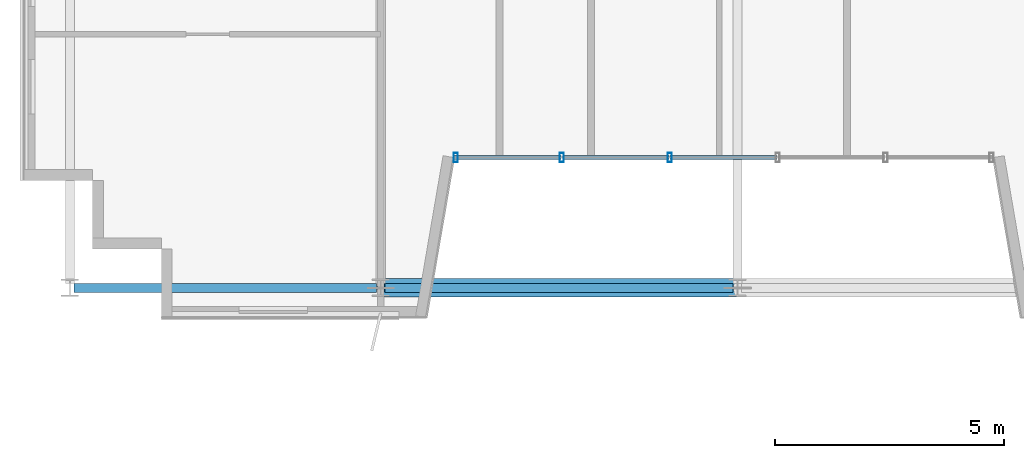
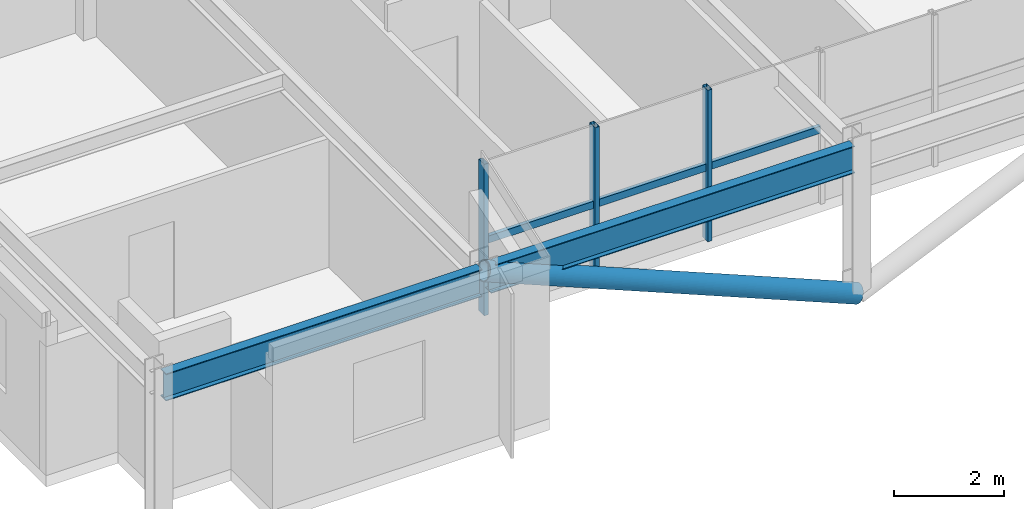
# One storey, part 3 of 24: 7 members, 2 beams, 1 element without a shape of its own.
"""IFC4 building model written with IfcOpenShell, lengths in metres."""

from ifc_helpers import new_model, si_unit, direction, frame, origin, origin_2d, place, context, subcontext, project, spatial, hollow_rectangle, hollow_circle, i_section, extrude, source, transform, mapped, material, material_profile, profile_set, type_object, element, aggregate, save


model = new_model("IFC4")

# Units and contexts
model_context = context("Model", 3, precision=1e-05, world=origin(), true_north=direction((0.0, 1.0)))
body_context = subcontext(model_context, "Body", "Model", "MODEL_VIEW")
ifc_project = project(units=[si_unit("LENGTHUNIT", "METRE"), si_unit("AREAUNIT", "SQUARE_METRE"), si_unit("VOLUMEUNIT", "CUBIC_METRE"), si_unit("PLANEANGLEUNIT", "RADIAN"), si_unit("MASSUNIT", "GRAM", prefix="KILO")], contexts=[model_context])

# Site, building, storey
site_placement = place(None, origin())
site = spatial("IfcSite", under=ifc_project, at=site_placement, CompositionType="ELEMENT")
building_placement = place(site_placement, origin())
building = spatial("IfcBuilding", under=site, at=building_placement, Name="Trelvane Seafront Commons", CompositionType="ELEMENT")
storey_placement = place(building_placement, frame((0.0, 0.0, 175.300048828125)))
storey = spatial("IfcBuildingStorey", under=building, at=storey_placement, Name="L46", CompositionType="ELEMENT", Elevation=175.300048828125)

# Beams
ifc_material_1 = material(Name="Steel SM355 (S355)", Category="steel")
ifc_material_profile_1 = material_profile(ifc_material_1, i_section(OverallWidth=0.199951171875, OverallDepth=0.60009765625, WebThickness=0.010986328125, FlangeThickness=0.01708984375, at=origin_2d()), Name="H-600x200x11x17")
ifc_profile_set_1 = profile_set([ifc_material_profile_1], Name="Steel SM355 (S355)")
beam_type = type_object("IfcBeamType", Name="STR-SPD-H600", PredefinedType="SPANDREL", material=ifc_profile_set_1)
shared_shape_1 = source(origin(), body_context, "Body", "SweptSolid", [
    extrude(i_section(OverallWidth=0.199951171875, OverallDepth=0.60009765625, WebThickness=0.010986328125, FlangeThickness=0.01708984375, at=origin_2d()), origin(), (0.0, 0.0, 1.0), 6.60986328125),
])
beam_1_placement = place(storey_placement, frame((8.89501953125, 3.949951171875, 3.050048828125), z_axis=(1.0, 0.0, 0.0), x_axis=(0.0, 1.0, 0.0)))
element("IfcBeam", 1, at=beam_1_placement, inside=storey, type_object=beam_type, Name="L46 Primary Girder G-01", PredefinedType="SPANDREL", context=body_context, shape_type="MappedRepresentation", body=[
    mapped(shared_shape_1, transform((0.0, 0.0, 0.0), x_axis=(1.0, 0.0, 0.0), y_axis=(0.0, 1.0, 0.0), z_axis=(0.0, 0.0, 1.0), scale=1.0)),
])
shared_shape_2 = source(origin(), body_context, "Body", "SweptSolid", [
    extrude(i_section(OverallWidth=0.199951171875, OverallDepth=0.60009765625, WebThickness=0.010986328125, FlangeThickness=0.01708984375, at=origin_2d()), origin(), (0.0, 0.0, 1.0), 7.60986328125),
])
beam_2_placement = place(storey_placement, frame((15.695068359375, 3.949951171875, 3.050048828125), z_axis=(1.0, 0.0, 0.0), x_axis=(0.0, 1.0, 0.0)))
element("IfcBeam", 2, at=beam_2_placement, inside=storey, type_object=beam_type, Name="L46 Primary Girder G-02", PredefinedType="SPANDREL", context=body_context, shape_type="MappedRepresentation", body=[
    mapped(shared_shape_2, transform((0.0, 0.0, 0.0), x_axis=(1.0, 0.0, 0.0), y_axis=(0.0, 1.0, 0.0), z_axis=(0.0, 0.0, 1.0), scale=1.0)),
])

# Member
ifc_material_profile_2 = material_profile(ifc_material_1, hollow_circle(Radius=0.203125, WallThickness=0.01611328125, at=origin_2d()), Name="CHS-406.4x16")
ifc_profile_set_2 = profile_set([ifc_material_profile_2], Name="Steel SM355 (S355)")
member_type_1 = type_object("IfcMemberType", Name="STR-STR-CHS406", PredefinedType="STRUT", material=ifc_profile_set_2)
shared_shape_3 = source(origin(), body_context, "Body", "SweptSolid", [
    extrude(hollow_circle(Radius=0.203125, WallThickness=0.01611328125, at=origin_2d()), origin(), (0.0, 0.0, 1.0), 8.442138671875),
])
member_1_placement = place(storey_placement, frame((23.39990234375, 3.949951171875, 0.0), z_axis=(-0.923913217575, 0.0, 0.382602099302), x_axis=(0.0, -1.0, 0.0)))
element("IfcMember", 3, at=member_1_placement, inside=storey, type_object=member_type_1, Name="L46 Sky-Garden V-Chevron Brace SGV-W", PredefinedType="STRUT", context=body_context, shape_type="MappedRepresentation", body=[
    mapped(shared_shape_3, transform((0.0, 0.0, 0.0), x_axis=(1.0, 0.0, 0.0), y_axis=(0.0, 1.0, 0.0), z_axis=(0.0, 0.0, 1.0), scale=1.0)),
])

# Curtain wall, members
ifc_material_2 = material(Name="Anodised pale-silver aluminium", Category="aluminium")
curtain_wall_type = type_object("IfcCurtainWallType", Name="ARCH-CW3-PORTAL", PredefinedType="NOTDEFINED", material=ifc_material_2)
curtain_wall_placement = place(storey_placement, origin())
curtain_wall = element("IfcCurtainWall", 4, at=curtain_wall_placement, inside=storey, type_object=curtain_wall_type, Name="CW-L46-VN-0074", PredefinedType="NOTDEFINED")
ifc_material_profile_3 = material_profile(ifc_material_2, hollow_rectangle(XDim=0.080078125, YDim=0.159912109375, WallThickness=0.00439453125, at=origin_2d()), Name="TRAN-80x160x4.5")
ifc_profile_set_3 = profile_set([ifc_material_profile_3], Name="Anodised pale-silver aluminium")
member_type_2 = type_object("IfcMemberType", Name="ARCH-CW-TRAN-160", PredefinedType="USERDEFINED", material=ifc_profile_set_3)
shared_shape_4 = source(origin(), body_context, "Body", "SweptSolid", [
    extrude(hollow_rectangle(XDim=0.080078125, YDim=0.159912109375, WallThickness=0.00439453125, at=origin_2d()), origin(), (0.0, 0.0, 1.0), 2.3359375),
])
member_2_placement = place(storey_placement, frame((21.907958984375, 6.800048828125, 1.60791015625), z_axis=(-1.0, 0.0, 0.0), x_axis=(0.0, -1.0, 0.0)))
member_2 = element("IfcMember", 5, at=member_2_placement, type_object=member_type_2, Name="CW-L46-VN-0074-T03", ObjectType="TRANSOM", PredefinedType="USERDEFINED", context=body_context, shape_type="MappedRepresentation", body=[
    mapped(shared_shape_4, transform((0.0, 0.0, 0.0), x_axis=(1.0, 0.0, 0.0), y_axis=(0.0, 1.0, 0.0), z_axis=(0.0, 0.0, 1.0), scale=1.0)),
])
shared_shape_5 = source(origin(), body_context, "Body", "SweptSolid", [
    extrude(hollow_rectangle(XDim=0.080078125, YDim=0.159912109375, WallThickness=0.00439453125, at=origin_2d()), origin(), (0.0, 0.0, 1.0), 2.336181640625),
])
member_3_placement = place(storey_placement, frame((24.26806640625, 6.800048828125, 1.60791015625), z_axis=(-1.0, 0.0, 0.0), x_axis=(0.0, -1.0, 0.0)))
member_3 = element("IfcMember", 6, at=member_3_placement, type_object=member_type_2, Name="CW-L46-VN-0074-T02", ObjectType="TRANSOM", PredefinedType="USERDEFINED", context=body_context, shape_type="MappedRepresentation", body=[
    mapped(shared_shape_5, transform((0.0, 0.0, 0.0), x_axis=(1.0, 0.0, 0.0), y_axis=(0.0, 1.0, 0.0), z_axis=(0.0, 0.0, 1.0), scale=1.0)),
])
member_4_placement = place(storey_placement, frame((19.548095703125, 6.800048828125, 1.60791015625), z_axis=(-1.0, 0.0, 0.0), x_axis=(0.0, -1.0, 0.0)))
member_4 = element("IfcMember", 7, at=member_4_placement, type_object=member_type_2, Name="CW-L46-VN-0074-T04", ObjectType="TRANSOM", PredefinedType="USERDEFINED", context=body_context, shape_type="MappedRepresentation", body=[
    mapped(shared_shape_5, transform((0.0, 0.0, 0.0), x_axis=(1.0, 0.0, 0.0), y_axis=(0.0, 1.0, 0.0), z_axis=(0.0, 0.0, 1.0), scale=1.0)),
])
ifc_material_profile_4 = material_profile(ifc_material_2, hollow_rectangle(XDim=0.090087890625, YDim=0.199951171875, WallThickness=0.0048828125, at=origin_2d()), Name="MULL-90x200x5")
ifc_profile_set_4 = profile_set([ifc_material_profile_4], Name="Anodised pale-silver aluminium")
member_type_3 = type_object("IfcMemberType", Name="ARCH-CW-MULL-200", PredefinedType="MULLION", material=ifc_profile_set_4)
shared_shape_6 = source(origin(), body_context, "Body", "SweptSolid", [
    extrude(hollow_rectangle(XDim=0.090087890625, YDim=0.199951171875, WallThickness=0.0048828125, at=origin_2d()), origin(), (0.0, 0.0, 1.0), 3.349853515625),
])
member_5_placement = place(storey_placement, frame((21.919921875, 6.800048828125, 0.0), z_axis=(0.0, 0.0, 1.0), x_axis=(1.0, 0.0, 0.0)))
member_5 = element("IfcMember", 8, at=member_5_placement, type_object=member_type_3, Name="CW-L46-VN-0074-M03", PredefinedType="MULLION", context=body_context, shape_type="MappedRepresentation", body=[
    mapped(shared_shape_6, transform((0.0, 0.0, 0.0), x_axis=(1.0, 0.0, 0.0), y_axis=(0.0, 1.0, 0.0), z_axis=(0.0, 0.0, 1.0), scale=1.0)),
])
member_6_placement = place(storey_placement, frame((19.56005859375, 6.800048828125, 0.0), z_axis=(0.0, 0.0, 1.0), x_axis=(1.0, 0.0, 0.0)))
member_6 = element("IfcMember", 9, at=member_6_placement, type_object=member_type_3, Name="CW-L46-VN-0074-M04", PredefinedType="MULLION", context=body_context, shape_type="MappedRepresentation", body=[
    mapped(shared_shape_6, transform((0.0, 0.0, 0.0), x_axis=(1.0, 0.0, 0.0), y_axis=(0.0, 1.0, 0.0), z_axis=(0.0, 0.0, 1.0), scale=1.0)),
])
member_7_placement = place(storey_placement, frame((17.239990234375, 6.800048828125, 0.0), z_axis=(0.0, 0.0, 1.0), x_axis=(1.0, 0.0, 0.0)))
member_7 = element("IfcMember", 10, at=member_7_placement, type_object=member_type_3, Name="CW-L46-VN-0074-M05", PredefinedType="MULLION", context=body_context, shape_type="MappedRepresentation", body=[
    mapped(shared_shape_6, transform((0.0, 0.0, 0.0), x_axis=(1.0, 0.0, 0.0), y_axis=(0.0, 1.0, 0.0), z_axis=(0.0, 0.0, 1.0), scale=1.0)),
])
aggregate(curtain_wall, [member_5, member_6, member_7, member_3, member_2, member_4])

save(model, "model.ifc")
